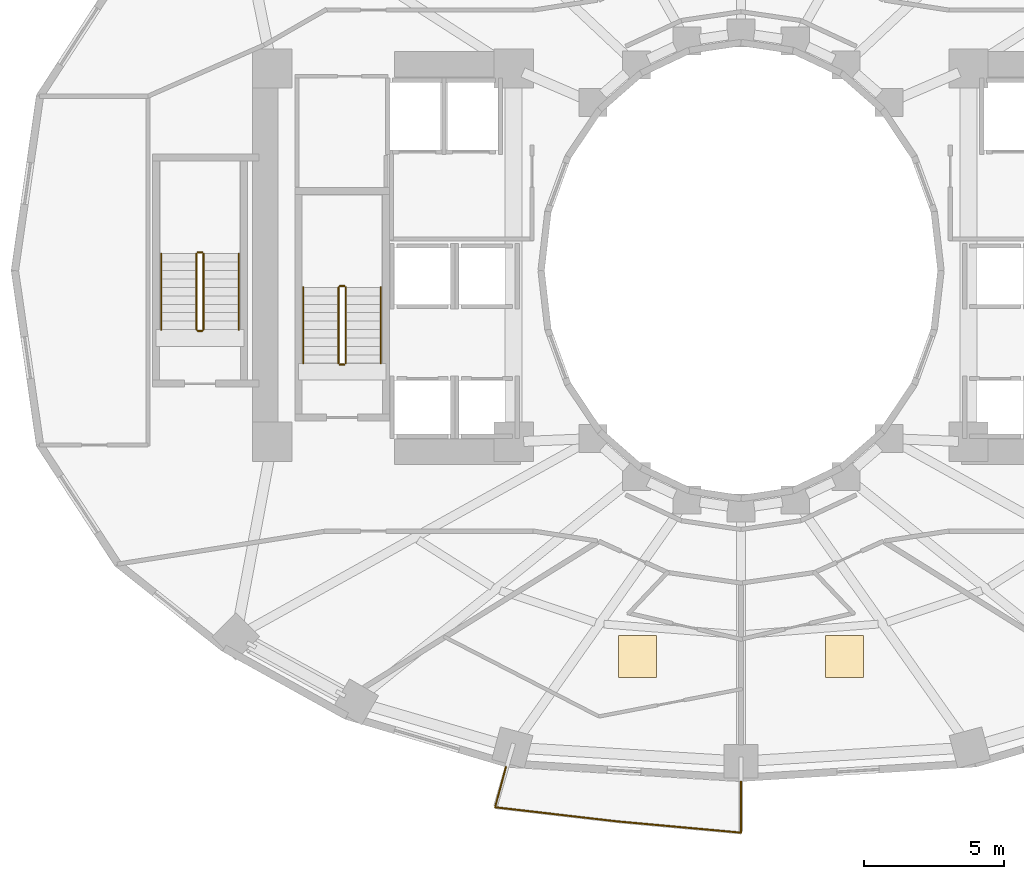
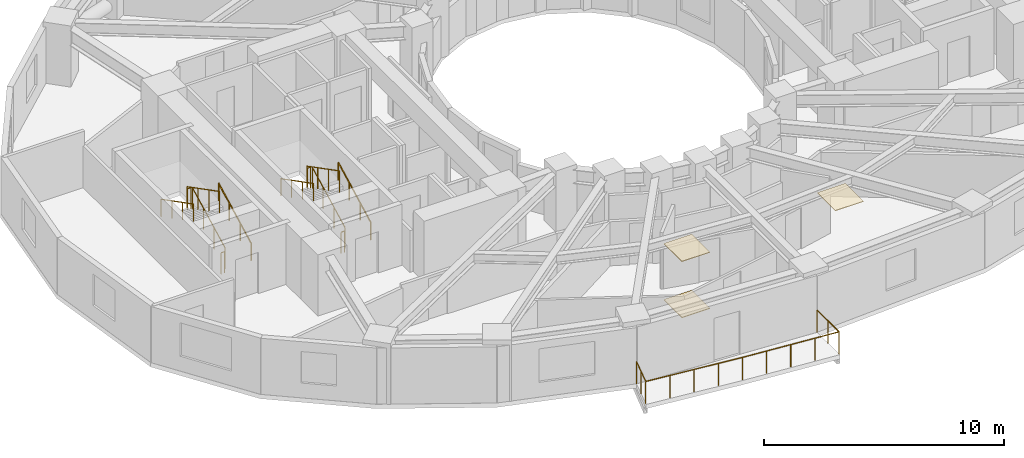
# One storey, part 12 of 14: 13 railings, 3 coverings.
"""IFC4 building model written with IfcOpenShell, lengths in metres."""

from ifc_helpers import new_model, si_unit, direction, frame, origin, origin_2d, place, context, subcontext, project, spatial, polyline, circle, outline, extrude, material, layer, layer_set, type_object, element, save


model = new_model("IFC4")

# Units and contexts
model_context = context("Model", 3, precision=1e-05, world=origin(), true_north=direction((0.0, 1.0)))
body_context = subcontext(model_context, "Body", "Model", "MODEL_VIEW")
ifc_project = project(units=[si_unit("LENGTHUNIT", "METRE"), si_unit("AREAUNIT", "SQUARE_METRE"), si_unit("VOLUMEUNIT", "CUBIC_METRE"), si_unit("PLANEANGLEUNIT", "RADIAN"), si_unit("MASSUNIT", "GRAM", prefix="KILO")], contexts=[model_context])

# Site, building, storey
site_placement = place(None, origin())
site = spatial("IfcSite", under=ifc_project, at=site_placement, CompositionType="ELEMENT")
building_placement = place(site_placement, origin())
building = spatial("IfcBuilding", under=site, at=building_placement, Name="Solvane Sanctuary Tower", CompositionType="ELEMENT")
storey_placement = place(building_placement, frame((0.0, 0.0, 40.0)))
storey = spatial("IfcBuildingStorey", under=building, at=storey_placement, Name="L11", CompositionType="ELEMENT", Elevation=40.0)

# Coverings
ifc_material_1 = material(Name="Acoustic Gypsum Partition Board")
ifc_layer_1 = layer(ifc_material_1, 0.02490234375, Name="Acoustic Gypsum Partition Board")
ifc_layer_set_1 = layer_set([ifc_layer_1], Name="Acoustic Gypsum Partition Board")
covering_type_1 = type_object("IfcCoveringType", Name="Covering CLG-ACOUST", PredefinedType="CEILING", material=ifc_layer_set_1)
covering_1_placement = place(storey_placement, frame((0.0, 0.0, 2.85009765625)))
element("IfcCovering", 1, at=covering_1_placement, inside=storey, type_object=covering_type_1, Name="L11 Unit Acoustic Ceiling Panel 4", PredefinedType="CEILING", context=body_context, shape_type="SweptSolid", body=[
    extrude(outline(polyline([(27.64208984375, 8.5048828125), (28.991943359375, 8.5048828125), (28.991943359375, 10.0048828125), (27.64208984375, 10.0048828125), (27.64208984375, 8.5048828125)])), origin(), (0.0, 0.0, 1.0), 0.02978515625),
])
covering_2_placement = place(storey_placement, frame((0.0, 0.0, 2.85009765625)))
element("IfcCovering", 2, at=covering_2_placement, inside=storey, type_object=covering_type_1, Name="L11 Unit Acoustic Ceiling Panel 5", PredefinedType="CEILING", context=body_context, shape_type="SweptSolid", body=[
    extrude(outline(polyline([(35.008056640625, 8.5048828125), (36.35791015625, 8.5048828125), (36.35791015625, 10.0048828125), (35.008056640625, 10.0048828125), (35.008056640625, 8.5048828125)])), origin(), (0.0, 0.0, 1.0), 0.02978515625),
])
ifc_material_2 = material(Name="Ceramic Tile Finish")
ifc_layer_2 = layer(ifc_material_2, 0.030029296875, Name="Ceramic Tile Finish")
ifc_layer_set_2 = layer_set([ifc_layer_2], Name="Ceramic Tile Finish")
covering_type_2 = type_object("IfcCoveringType", Name="Covering FLR-TERRAZZO", PredefinedType="FLOORING", material=ifc_layer_set_2)
covering_3_placement = place(storey_placement, origin())
element("IfcCovering", 3, at=covering_3_placement, inside=storey, type_object=covering_type_2, Name="L11 Unit Terrazzo Inlay 4", PredefinedType="FLOORING", context=body_context, shape_type="SweptSolid", body=[
    extrude(outline(polyline([(27.64208984375, 8.5048828125), (28.991943359375, 8.5048828125), (28.991943359375, 10.0048828125), (27.64208984375, 10.0048828125), (27.64208984375, 8.5048828125)])), origin(), (0.0, 0.0, 1.0), 0.034912109375),
])

# Railings
ifc_material_3 = material(Name="Architectural Stainless Steel 316", Category="steel")
railing_type_1 = type_object("IfcRailingType", Name="Railing GR-BALC-1150", PredefinedType="BALUSTRADE", material=ifc_material_3)
railing_1_placement = place(storey_placement, frame((23.623291015625, 5.3193359375, 0.0)))
element("IfcRailing", 4, at=railing_1_placement, inside=storey, type_object=railing_type_1, Name="L11 Wave Balcony Balustrade SC", PredefinedType="BALUSTRADE", context=body_context, shape_type="SweptSolid", body=[
    extrude(circle(Radius=0.02392578125, at=origin_2d()), frame((0.0, 0.0, 1.1259765625), z_axis=(-0.2588814164, -0.965909111792, 0.0), x_axis=(0.965909111792, -0.2588814164, 0.0)), (0.0, 0.0, 1.0), 1.4833984375),
    extrude(circle(Radius=0.02392578125, at=origin_2d()), frame((-0.384033203125, -1.432861328125, 1.1259765625), z_axis=(0.993374720021, -0.114920257669, 0.0), x_axis=(0.114920257669, 0.993374720021, 0.0)), (0.0, 0.0, 1.0), 4.380615234375),
    extrude(circle(Radius=0.02392578125, at=origin_2d()), frame((3.967529296875, -1.936279296875, 1.1259765625), z_axis=(0.995887328449, -0.090600380988, 0.0), x_axis=(0.090600380988, 0.995887328449, 0.0)), (0.0, 0.0, 1.0), 4.427490234375),
    extrude(circle(Radius=0.02392578125, at=origin_2d()), frame((8.376708984375, -2.33740234375, 1.1259765625), z_axis=(0.0, 1.0, 0.0), x_axis=(-1.0, 0.0, 0.0)), (0.0, 0.0, 1.0), 1.818115234375),
    extrude(circle(Radius=0.02099609375, at=origin_2d()), origin(), (0.0, 0.0, 1.0), 1.101806640625),
    extrude(circle(Radius=0.02099609375, at=origin_2d()), frame((-0.19189453125, -0.71630859375, 0.0)), (0.0, 0.0, 1.0), 1.101806640625),
    extrude(circle(Radius=0.02099609375, at=origin_2d()), frame((-0.384033203125, -1.432861328125, 0.0)), (0.0, 0.0, 1.0), 1.101806640625),
    extrude(circle(Radius=0.02099609375, at=origin_2d()), frame((0.703857421875, -1.55859375, 0.0)), (0.0, 0.0, 1.0), 1.101806640625),
    extrude(circle(Radius=0.02099609375, at=origin_2d()), frame((1.791748046875, -1.6845703125, 0.0)), (0.0, 0.0, 1.0), 1.101806640625),
    extrude(circle(Radius=0.02099609375, at=origin_2d()), frame((2.879638671875, -1.810546875, 0.0)), (0.0, 0.0, 1.0), 1.101806640625),
    extrude(circle(Radius=0.02099609375, at=origin_2d()), frame((3.967529296875, -1.936279296875, 0.0)), (0.0, 0.0, 1.0), 1.101806640625),
    extrude(circle(Radius=0.02099609375, at=origin_2d()), frame((5.06982421875, -2.03662109375, 0.0)), (0.0, 0.0, 1.0), 1.101806640625),
    extrude(circle(Radius=0.02099609375, at=origin_2d()), frame((6.172119140625, -2.13671875, 0.0)), (0.0, 0.0, 1.0), 1.101806640625),
    extrude(circle(Radius=0.02099609375, at=origin_2d()), frame((7.2744140625, -2.237060546875, 0.0)), (0.0, 0.0, 1.0), 1.101806640625),
    extrude(circle(Radius=0.02099609375, at=origin_2d()), frame((8.376708984375, -2.33740234375, 0.0)), (0.0, 0.0, 1.0), 1.101806640625),
    extrude(circle(Radius=0.02099609375, at=origin_2d()), frame((8.376708984375, -1.42822265625, 0.0)), (0.0, 0.0, 1.0), 1.101806640625),
    extrude(circle(Radius=0.02099609375, at=origin_2d()), frame((8.376708984375, -0.519287109375, 0.0)), (0.0, 0.0, 1.0), 1.101806640625),
])
railing_2_placement = place(storey_placement, frame((17.919921875, 19.699951171875, 0.155029296875)))
element("IfcRailing", 5, at=railing_2_placement, inside=storey, type_object=railing_type_1, Name="L11 ST-1 stair guard 1", PredefinedType="BALUSTRADE", context=body_context, shape_type="SweptSolid", body=[
    extrude(circle(Radius=0.02392578125, at=origin_2d()), frame((0.0, 0.0, 1.076171875), z_axis=(0.0, 0.888419900624, 0.459031676658), x_axis=(-1.0, 0.0, 0.0)), (0.0, 0.0, 1.0), 3.0390625),
    extrude(circle(Radius=0.02099609375, at=origin_2d()), origin(), (0.0, 0.0, 1.0), 1.052001953125),
    extrude(circle(Radius=0.02099609375, at=origin_2d()), frame((0.0, 0.89990234375, 0.465087890625)), (0.0, 0.0, 1.0), 1.052001953125),
    extrude(circle(Radius=0.02099609375, at=origin_2d()), frame((0.0, 1.800048828125, 0.929931640625)), (0.0, 0.0, 1.0), 1.052001953125),
    extrude(circle(Radius=0.02099609375, at=origin_2d()), frame((0.0, 2.699951171875, 1.39501953125)), (0.0, 0.0, 1.0), 1.052001953125),
])
railing_3_placement = place(storey_placement, frame((17.8701171875, 22.449951171875, 1.550048828125)))
element("IfcRailing", 6, at=railing_3_placement, inside=storey, type_object=railing_type_1, Name="L11 ST-1 stair guard 2", PredefinedType="BALUSTRADE", context=body_context, shape_type="SweptSolid", body=[
    extrude(circle(Radius=0.02392578125, at=origin_2d()), frame((0.0, 0.0, 1.076171875), z_axis=(-1.0, 0.0, 0.0), x_axis=(0.0, -1.0, 0.0)), (0.0, 0.0, 1.0), 0.16015625),
    extrude(circle(Radius=0.02099609375, at=origin_2d()), origin(), (0.0, 0.0, 1.0), 1.052001953125),
    extrude(circle(Radius=0.02099609375, at=origin_2d()), frame((-0.16015625, 0.0, 0.0)), (0.0, 0.0, 1.0), 1.052001953125),
])
railing_4_placement = place(storey_placement, frame((17.659912109375, 22.39990234375, 1.705078125)))
element("IfcRailing", 7, at=railing_4_placement, inside=storey, type_object=railing_type_1, Name="L11 ST-1 stair guard 3", PredefinedType="BALUSTRADE", context=body_context, shape_type="SweptSolid", body=[
    extrude(circle(Radius=0.02392578125, at=origin_2d()), frame((0.0, 0.0, 1.076171875), z_axis=(0.0, -0.888419900624, 0.459031676658), x_axis=(1.0, 0.0, 0.0)), (0.0, 0.0, 1.0), 3.0390625),
    extrude(circle(Radius=0.02099609375, at=origin_2d()), origin(), (0.0, 0.0, 1.0), 1.052001953125),
    extrude(circle(Radius=0.02099609375, at=origin_2d()), frame((0.0, -0.89990234375, 0.465087890625)), (0.0, 0.0, 1.0), 1.052001953125),
    extrude(circle(Radius=0.02099609375, at=origin_2d()), frame((0.0, -1.800048828125, 0.929931640625)), (0.0, 0.0, 1.0), 1.052001953125),
    extrude(circle(Radius=0.02099609375, at=origin_2d()), frame((0.0, -2.699951171875, 1.39501953125)), (0.0, 0.0, 1.0), 1.052001953125),
])
railing_5_placement = place(storey_placement, frame((17.8701171875, 19.64990234375, 0.0)))
element("IfcRailing", 8, at=railing_5_placement, inside=storey, type_object=railing_type_1, Name="L11 ST-1 stair guard 4", PredefinedType="BALUSTRADE", context=body_context, shape_type="SweptSolid", body=[
    extrude(circle(Radius=0.02392578125, at=origin_2d()), frame((0.0, 0.0, 1.076171875), z_axis=(-1.0, 0.0, 0.0), x_axis=(0.0, -1.0, 0.0)), (0.0, 0.0, 1.0), 0.16015625),
    extrude(circle(Radius=0.02099609375, at=origin_2d()), origin(), (0.0, 0.0, 1.0), 1.052001953125),
    extrude(circle(Radius=0.02099609375, at=origin_2d()), frame((-0.16015625, 0.0, 0.0)), (0.0, 0.0, 1.0), 1.052001953125),
])
railing_6_placement = place(storey_placement, frame((12.860107421875, 20.89990234375, 0.155029296875)))
element("IfcRailing", 9, at=railing_6_placement, inside=storey, type_object=railing_type_1, Name="L11 ST-3 stair guard 1", PredefinedType="BALUSTRADE", context=body_context, shape_type="SweptSolid", body=[
    extrude(circle(Radius=0.02392578125, at=origin_2d()), frame((0.0, 0.0, 1.076171875), z_axis=(0.0, 0.888436826113, 0.458998917216), x_axis=(-1.0, 0.0, 0.0)), (0.0, 0.0, 1.0), 3.039306640625),
    extrude(circle(Radius=0.02099609375, at=origin_2d()), origin(), (0.0, 0.0, 1.0), 1.052001953125),
    extrude(circle(Radius=0.02099609375, at=origin_2d()), frame((0.0, 0.900146484375, 0.465087890625)), (0.0, 0.0, 1.0), 1.052001953125),
    extrude(circle(Radius=0.02099609375, at=origin_2d()), frame((0.0, 1.800048828125, 0.929931640625)), (0.0, 0.0, 1.0), 1.052001953125),
    extrude(circle(Radius=0.02099609375, at=origin_2d()), frame((0.0, 2.7001953125, 1.39501953125)), (0.0, 0.0, 1.0), 1.052001953125),
])
railing_7_placement = place(storey_placement, frame((12.81005859375, 23.64990234375, 1.550048828125)))
element("IfcRailing", 10, at=railing_7_placement, inside=storey, type_object=railing_type_1, Name="L11 ST-3 stair guard 2", PredefinedType="BALUSTRADE", context=body_context, shape_type="SweptSolid", body=[
    extrude(circle(Radius=0.02392578125, at=origin_2d()), frame((0.0, 0.0, 1.076171875), z_axis=(-1.0, 0.0, 0.0), x_axis=(0.0, -1.0, 0.0)), (0.0, 0.0, 1.0), 0.16015625),
    extrude(circle(Radius=0.02099609375, at=origin_2d()), origin(), (0.0, 0.0, 1.0), 1.052001953125),
    extrude(circle(Radius=0.02099609375, at=origin_2d()), frame((-0.16015625, 0.0, 0.0)), (0.0, 0.0, 1.0), 1.052001953125),
])
railing_8_placement = place(storey_placement, frame((12.60009765625, 23.60009765625, 1.705078125)))
element("IfcRailing", 11, at=railing_8_placement, inside=storey, type_object=railing_type_1, Name="L11 ST-3 stair guard 3", PredefinedType="BALUSTRADE", context=body_context, shape_type="SweptSolid", body=[
    extrude(circle(Radius=0.02392578125, at=origin_2d()), frame((0.0, 0.0, 1.076171875), z_axis=(0.0, -0.888436826113, 0.458998917216), x_axis=(1.0, 0.0, 0.0)), (0.0, 0.0, 1.0), 3.039306640625),
    extrude(circle(Radius=0.02099609375, at=origin_2d()), origin(), (0.0, 0.0, 1.0), 1.052001953125),
    extrude(circle(Radius=0.02099609375, at=origin_2d()), frame((0.0, -0.900146484375, 0.465087890625)), (0.0, 0.0, 1.0), 1.052001953125),
    extrude(circle(Radius=0.02099609375, at=origin_2d()), frame((0.0, -1.800048828125, 0.929931640625)), (0.0, 0.0, 1.0), 1.052001953125),
    extrude(circle(Radius=0.02099609375, at=origin_2d()), frame((0.0, -2.7001953125, 1.39501953125)), (0.0, 0.0, 1.0), 1.052001953125),
])
railing_9_placement = place(storey_placement, frame((12.81005859375, 20.85009765625, 0.0)))
element("IfcRailing", 12, at=railing_9_placement, inside=storey, type_object=railing_type_1, Name="L11 ST-3 stair guard 4", PredefinedType="BALUSTRADE", context=body_context, shape_type="SweptSolid", body=[
    extrude(circle(Radius=0.02392578125, at=origin_2d()), frame((0.0, 0.0, 1.076171875), z_axis=(-1.0, 0.0, 0.0), x_axis=(0.0, -1.0, 0.0)), (0.0, 0.0, 1.0), 0.16015625),
    extrude(circle(Radius=0.02099609375, at=origin_2d()), origin(), (0.0, 0.0, 1.0), 1.052001953125),
    extrude(circle(Radius=0.02099609375, at=origin_2d()), frame((-0.16015625, 0.0, 0.0)), (0.0, 0.0, 1.0), 1.052001953125),
])
railing_type_2 = type_object("IfcRailingType", Name="Railing HR-STAIR-920", PredefinedType="HANDRAIL", material=ifc_material_3)
railing_10_placement = place(storey_placement, frame((19.169921875, 19.699951171875, 0.155029296875)))
element("IfcRailing", 13, at=railing_10_placement, inside=storey, type_object=railing_type_2, Name="L11 ST-1 stair handrail 1", PredefinedType="HANDRAIL", context=body_context, shape_type="SweptSolid", body=[
    extrude(circle(Radius=0.02392578125, at=origin_2d()), frame((0.0, 0.0, 0.8759765625), z_axis=(0.0, 0.888419900624, 0.459031676658), x_axis=(-1.0, 0.0, 0.0)), (0.0, 0.0, 1.0), 3.0390625),
    extrude(circle(Radius=0.02099609375, at=origin_2d()), origin(), (0.0, 0.0, 1.0), 0.851806640625),
    extrude(circle(Radius=0.02099609375, at=origin_2d()), frame((0.0, 0.89990234375, 0.465087890625)), (0.0, 0.0, 1.0), 0.851806640625),
    extrude(circle(Radius=0.02099609375, at=origin_2d()), frame((0.0, 1.800048828125, 0.929931640625)), (0.0, 0.0, 1.0), 0.851806640625),
    extrude(circle(Radius=0.02099609375, at=origin_2d()), frame((0.0, 2.699951171875, 1.39501953125)), (0.0, 0.0, 1.0), 0.851806640625),
])
railing_11_placement = place(storey_placement, frame((16.409912109375, 22.39990234375, 1.705078125)))
element("IfcRailing", 14, at=railing_11_placement, inside=storey, type_object=railing_type_2, Name="L11 ST-1 stair handrail 2", PredefinedType="HANDRAIL", context=body_context, shape_type="SweptSolid", body=[
    extrude(circle(Radius=0.02392578125, at=origin_2d()), frame((0.0, 0.0, 0.8759765625), z_axis=(0.0, -0.888419900624, 0.459031676658), x_axis=(1.0, 0.0, 0.0)), (0.0, 0.0, 1.0), 3.0390625),
    extrude(circle(Radius=0.02099609375, at=origin_2d()), origin(), (0.0, 0.0, 1.0), 0.851806640625),
    extrude(circle(Radius=0.02099609375, at=origin_2d()), frame((0.0, -0.89990234375, 0.465087890625)), (0.0, 0.0, 1.0), 0.851806640625),
    extrude(circle(Radius=0.02099609375, at=origin_2d()), frame((0.0, -1.800048828125, 0.929931640625)), (0.0, 0.0, 1.0), 0.851806640625),
    extrude(circle(Radius=0.02099609375, at=origin_2d()), frame((0.0, -2.699951171875, 1.39501953125)), (0.0, 0.0, 1.0), 0.851806640625),
])
railing_12_placement = place(storey_placement, frame((14.110107421875, 20.89990234375, 0.155029296875)))
element("IfcRailing", 15, at=railing_12_placement, inside=storey, type_object=railing_type_2, Name="L11 ST-3 stair handrail 1", PredefinedType="HANDRAIL", context=body_context, shape_type="SweptSolid", body=[
    extrude(circle(Radius=0.02392578125, at=origin_2d()), frame((0.0, 0.0, 0.8759765625), z_axis=(0.0, 0.888436826113, 0.458998917216), x_axis=(-1.0, 0.0, 0.0)), (0.0, 0.0, 1.0), 3.039306640625),
    extrude(circle(Radius=0.02099609375, at=origin_2d()), origin(), (0.0, 0.0, 1.0), 0.851806640625),
    extrude(circle(Radius=0.02099609375, at=origin_2d()), frame((0.0, 0.900146484375, 0.465087890625)), (0.0, 0.0, 1.0), 0.851806640625),
    extrude(circle(Radius=0.02099609375, at=origin_2d()), frame((0.0, 1.800048828125, 0.929931640625)), (0.0, 0.0, 1.0), 0.851806640625),
    extrude(circle(Radius=0.02099609375, at=origin_2d()), frame((0.0, 2.7001953125, 1.39501953125)), (0.0, 0.0, 1.0), 0.851806640625),
])
railing_13_placement = place(storey_placement, frame((11.35009765625, 23.60009765625, 1.705078125)))
element("IfcRailing", 16, at=railing_13_placement, inside=storey, type_object=railing_type_2, Name="L11 ST-3 stair handrail 2", PredefinedType="HANDRAIL", context=body_context, shape_type="SweptSolid", body=[
    extrude(circle(Radius=0.02392578125, at=origin_2d()), frame((0.0, 0.0, 0.8759765625), z_axis=(0.0, -0.888436826113, 0.458998917216), x_axis=(1.0, 0.0, 0.0)), (0.0, 0.0, 1.0), 3.039306640625),
    extrude(circle(Radius=0.02099609375, at=origin_2d()), origin(), (0.0, 0.0, 1.0), 0.851806640625),
    extrude(circle(Radius=0.02099609375, at=origin_2d()), frame((0.0, -0.900146484375, 0.465087890625)), (0.0, 0.0, 1.0), 0.851806640625),
    extrude(circle(Radius=0.02099609375, at=origin_2d()), frame((0.0, -1.800048828125, 0.929931640625)), (0.0, 0.0, 1.0), 0.851806640625),
    extrude(circle(Radius=0.02099609375, at=origin_2d()), frame((0.0, -2.7001953125, 1.39501953125)), (0.0, 0.0, 1.0), 0.851806640625),
])

save(model, "model.ifc")
